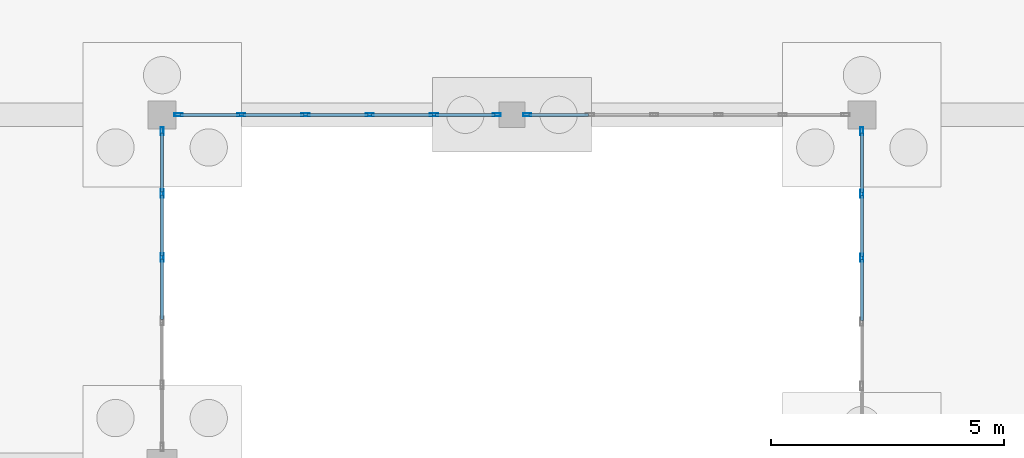
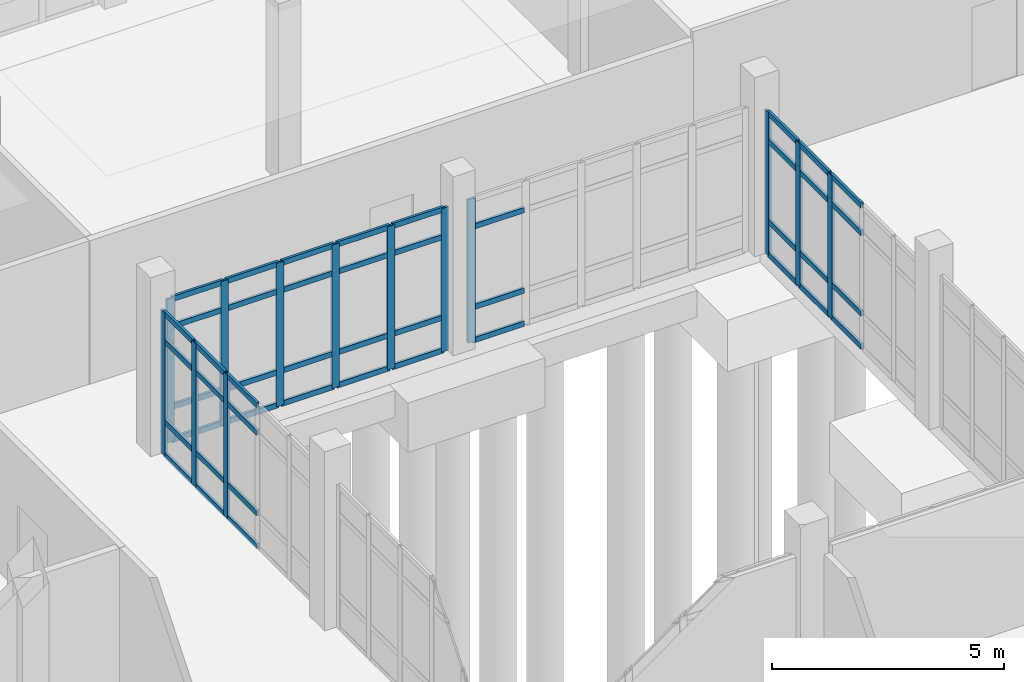
# One storey, part 44 of 173: 60 members, 4 elements without a shape of their own.
"""IFC4 building model written with IfcOpenShell, lengths in metres."""

from ifc_helpers import new_model, si_unit, direction, frame, origin, origin_2d, place, context, subcontext, project, spatial, hollow_rectangle, extrude, material, layer, layer_set, material_profile, profile_set, type_object, element, aggregate, save


model = new_model("IFC4")

# Units and contexts
model_context = context("Model", 3, precision=1e-05, world=origin(), true_north=direction((0.0, 1.0)))
body_context = subcontext(model_context, "Body", "Model", "MODEL_VIEW")
ifc_project = project(units=[si_unit("LENGTHUNIT", "METRE"), si_unit("AREAUNIT", "SQUARE_METRE"), si_unit("VOLUMEUNIT", "CUBIC_METRE"), si_unit("PLANEANGLEUNIT", "RADIAN"), si_unit("MASSUNIT", "GRAM", prefix="KILO")], contexts=[model_context])

# Site, building, storey
site_placement = place(None, origin())
site = spatial("IfcSite", under=ifc_project, at=site_placement, CompositionType="ELEMENT")
building_placement = place(site_placement, origin())
building = spatial("IfcBuilding", under=site, at=building_placement, Name="Mawjan Specialist Oncology Clinic", CompositionType="ELEMENT")
storey_placement = place(building_placement, origin())
storey = spatial("IfcBuildingStorey", under=building, at=storey_placement, Name="L00", CompositionType="ELEMENT", Elevation=0.0)

# Curtain wall, members
ifc_material_1 = material(Name="Unitised spectrally selective aluminium curtain wall", Category="aluminium")
ifc_layer_1 = layer(ifc_material_1, 0.179931640625, Name="Unitised spectrally selective aluminium curtain wall", Category="aluminium")
ifc_layer_set_1 = layer_set([ifc_layer_1], Name="Unitised spectrally selective aluminium curtain wall")
curtain_wall_type_1 = type_object("IfcCurtainWallType", Name="CW-05", PredefinedType="NOTDEFINED", material=ifc_layer_set_1)
curtain_wall_1_placement = place(storey_placement, origin())
curtain_wall_1 = element("IfcCurtainWall", 1, at=curtain_wall_1_placement, inside=storey, type_object=curtain_wall_type_1, Name="L00 Unitised Curtain Wall CW-L00-059", PredefinedType="NOTDEFINED")
ifc_material_2 = material(Name="Thermally broken aluminium 6063-T6", Category="aluminium")
ifc_material_profile_1 = material_profile(ifc_material_2, hollow_rectangle(XDim=0.06494140625, YDim=0.179931640625, WallThickness=0.00390625, at=origin_2d()), Name="ALU MULLION 180x65x4", Category="aluminium")
ifc_profile_set_1 = profile_set([ifc_material_profile_1], Name="Thermally broken aluminium 6063-T6")
member_type_1 = type_object("IfcMemberType", Name="CW-M180", PredefinedType="MULLION", material=ifc_profile_set_1)
member_1_placement = place(storey_placement, frame((30.0, 57.736083984375, 0.0), z_axis=(0.0, 0.0, 1.0), x_axis=(-1.0, 0.0, 0.0)))
member_1 = element("IfcMember", 2, at=member_1_placement, type_object=member_type_1, Name="CW-05 mullion 4", PredefinedType="MULLION", context=body_context, shape_type="SweptSolid", body=[
    extrude(hollow_rectangle(XDim=0.06494140625, YDim=0.179931640625, WallThickness=0.00390625, at=origin_2d()), origin(), (0.0, 0.0, 1.0), 3.764892578125),
])
member_2_placement = place(storey_placement, frame((30.0, 59.10791015625, 0.0), z_axis=(0.0, 0.0, 1.0), x_axis=(-1.0, 0.0, 0.0)))
member_2 = element("IfcMember", 3, at=member_2_placement, type_object=member_type_1, Name="CW-05 mullion 5", PredefinedType="MULLION", context=body_context, shape_type="SweptSolid", body=[
    extrude(hollow_rectangle(XDim=0.06494140625, YDim=0.179931640625, WallThickness=0.00390625, at=origin_2d()), origin(), (0.0, 0.0, 1.0), 3.764892578125),
])
member_3_placement = place(storey_placement, frame((30.0, 60.447509765625, 0.0), z_axis=(0.0, 0.0, 1.0), x_axis=(-1.0, 0.0, 0.0)))
member_3 = element("IfcMember", 4, at=member_3_placement, type_object=member_type_1, Name="CW-05 mullion 6", PredefinedType="MULLION", context=body_context, shape_type="SweptSolid", body=[
    extrude(hollow_rectangle(XDim=0.06494140625, YDim=0.179931640625, WallThickness=0.00390625, at=origin_2d()), origin(), (0.0, 0.0, 1.0), 3.764892578125),
])

# Curtain wall, member
ifc_material_3 = material(Name="Unitised spectrally selective aluminium curtain wall", Category="aluminium")
ifc_layer_2 = layer(ifc_material_3, 0.179931640625, Name="Unitised spectrally selective aluminium curtain wall", Category="aluminium")
ifc_layer_set_2 = layer_set([ifc_layer_2], Name="Unitised spectrally selective aluminium curtain wall")
curtain_wall_type_2 = type_object("IfcCurtainWallType", Name="CW-06", PredefinedType="NOTDEFINED", material=ifc_layer_set_2)
curtain_wall_2_placement = place(storey_placement, origin())
curtain_wall_2 = element("IfcCurtainWall", 5, at=curtain_wall_2_placement, inside=storey, type_object=curtain_wall_type_2, Name="L00 Unitised Curtain Wall CW-L00-060", PredefinedType="NOTDEFINED")
member_4_placement = place(storey_placement, frame((22.827392578125, 60.800048828125, 0.0), z_axis=(0.0, 0.0, 1.0), x_axis=(0.0, -1.0, 0.0)))
member_4 = element("IfcMember", 6, at=member_4_placement, type_object=member_type_1, Name="CW-06 mullion 6", PredefinedType="MULLION", context=body_context, shape_type="SweptSolid", body=[
    extrude(hollow_rectangle(XDim=0.06494140625, YDim=0.179931640625, WallThickness=0.00390625, at=origin_2d()), origin(), (0.0, 0.0, 1.0), 3.764892578125),
])

# Curtain wall, members
curtain_wall_3_placement = place(storey_placement, origin())
curtain_wall_3 = element("IfcCurtainWall", 7, at=curtain_wall_3_placement, inside=storey, type_object=curtain_wall_type_2, Name="L00 Unitised Curtain Wall CW-L00-061", PredefinedType="NOTDEFINED")
member_5_placement = place(storey_placement, frame((22.172607421875, 60.800048828125, 0.0), z_axis=(0.0, 0.0, 1.0), x_axis=(0.0, -1.0, 0.0)))
member_5 = element("IfcMember", 8, at=member_5_placement, type_object=member_type_1, Name="CW-06 mullion 1", PredefinedType="MULLION", context=body_context, shape_type="SweptSolid", body=[
    extrude(hollow_rectangle(XDim=0.06494140625, YDim=0.179931640625, WallThickness=0.00390625, at=origin_2d()), origin(), (0.0, 0.0, 1.0), 3.764892578125),
])
member_6_placement = place(storey_placement, frame((20.827880859375, 60.800048828125, 0.0), z_axis=(0.0, 0.0, 1.0), x_axis=(0.0, -1.0, 0.0)))
member_6 = element("IfcMember", 9, at=member_6_placement, type_object=member_type_1, Name="CW-06 mullion 2", PredefinedType="MULLION", context=body_context, shape_type="SweptSolid", body=[
    extrude(hollow_rectangle(XDim=0.06494140625, YDim=0.179931640625, WallThickness=0.00390625, at=origin_2d()), origin(), (0.0, 0.0, 1.0), 3.764892578125),
])
member_7_placement = place(storey_placement, frame((19.450927734375, 60.800048828125, 0.0), z_axis=(0.0, 0.0, 1.0), x_axis=(0.0, -1.0, 0.0)))
member_7 = element("IfcMember", 10, at=member_7_placement, type_object=member_type_1, Name="CW-06 mullion 3", PredefinedType="MULLION", context=body_context, shape_type="SweptSolid", body=[
    extrude(hollow_rectangle(XDim=0.06494140625, YDim=0.179931640625, WallThickness=0.00390625, at=origin_2d()), origin(), (0.0, 0.0, 1.0), 3.764892578125),
])
member_8_placement = place(storey_placement, frame((18.073974609375, 60.800048828125, 0.0), z_axis=(0.0, 0.0, 1.0), x_axis=(0.0, -1.0, 0.0)))
member_8 = element("IfcMember", 11, at=member_8_placement, type_object=member_type_1, Name="CW-06 mullion 4", PredefinedType="MULLION", context=body_context, shape_type="SweptSolid", body=[
    extrude(hollow_rectangle(XDim=0.06494140625, YDim=0.179931640625, WallThickness=0.00390625, at=origin_2d()), origin(), (0.0, 0.0, 1.0), 3.764892578125),
])
member_9_placement = place(storey_placement, frame((16.697021484375, 60.800048828125, 0.0), z_axis=(0.0, 0.0, 1.0), x_axis=(0.0, -1.0, 0.0)))
member_9 = element("IfcMember", 12, at=member_9_placement, type_object=member_type_1, Name="CW-06 mullion 5", PredefinedType="MULLION", context=body_context, shape_type="SweptSolid", body=[
    extrude(hollow_rectangle(XDim=0.06494140625, YDim=0.179931640625, WallThickness=0.00390625, at=origin_2d()), origin(), (0.0, 0.0, 1.0), 3.764892578125),
])
member_10_placement = place(storey_placement, frame((15.3525390625, 60.800048828125, 0.0), z_axis=(0.0, 0.0, 1.0), x_axis=(0.0, -1.0, 0.0)))
member_10 = element("IfcMember", 13, at=member_10_placement, type_object=member_type_1, Name="CW-06 mullion 6", PredefinedType="MULLION", context=body_context, shape_type="SweptSolid", body=[
    extrude(hollow_rectangle(XDim=0.06494140625, YDim=0.179931640625, WallThickness=0.00390625, at=origin_2d()), origin(), (0.0, 0.0, 1.0), 3.764892578125),
])

ifc_material_4 = material(Name="Unitised spectrally selective aluminium curtain wall", Category="aluminium")
ifc_layer_3 = layer(ifc_material_4, 0.179931640625, Name="Unitised spectrally selective aluminium curtain wall", Category="aluminium")
ifc_layer_set_3 = layer_set([ifc_layer_3], Name="Unitised spectrally selective aluminium curtain wall")
curtain_wall_type_3 = type_object("IfcCurtainWallType", Name="CW-04", PredefinedType="NOTDEFINED", material=ifc_layer_set_3)
curtain_wall_4_placement = place(storey_placement, origin())
curtain_wall_4 = element("IfcCurtainWall", 14, at=curtain_wall_4_placement, inside=storey, type_object=curtain_wall_type_3, Name="L00 Unitised Curtain Wall CW-L00-062", PredefinedType="NOTDEFINED")
member_11_placement = place(storey_placement, frame((15.0, 60.447509765625, 0.0), z_axis=(0.0, 0.0, 1.0), x_axis=(1.0, 0.0, 0.0)))
member_11 = element("IfcMember", 15, at=member_11_placement, type_object=member_type_1, Name="CW-04 mullion 1", PredefinedType="MULLION", context=body_context, shape_type="SweptSolid", body=[
    extrude(hollow_rectangle(XDim=0.06494140625, YDim=0.179931640625, WallThickness=0.00390625, at=origin_2d()), origin(), (0.0, 0.0, 1.0), 3.764892578125),
])
member_12_placement = place(storey_placement, frame((15.0, 59.113037109375, 0.0), z_axis=(0.0, 0.0, 1.0), x_axis=(1.0, 0.0, 0.0)))
member_12 = element("IfcMember", 16, at=member_12_placement, type_object=member_type_1, Name="CW-04 mullion 2", PredefinedType="MULLION", context=body_context, shape_type="SweptSolid", body=[
    extrude(hollow_rectangle(XDim=0.06494140625, YDim=0.179931640625, WallThickness=0.00390625, at=origin_2d()), origin(), (0.0, 0.0, 1.0), 3.764892578125),
])
member_13_placement = place(storey_placement, frame((15.0, 57.74609375, 0.0), z_axis=(0.0, 0.0, 1.0), x_axis=(1.0, 0.0, 0.0)))
member_13 = element("IfcMember", 17, at=member_13_placement, type_object=member_type_1, Name="CW-04 mullion 3", PredefinedType="MULLION", context=body_context, shape_type="SweptSolid", body=[
    extrude(hollow_rectangle(XDim=0.06494140625, YDim=0.179931640625, WallThickness=0.00390625, at=origin_2d()), origin(), (0.0, 0.0, 1.0), 3.764892578125),
])

# Member
ifc_material_5 = material(Name="Thermally broken aluminium 6063-T6", Category="aluminium")
ifc_material_profile_2 = material_profile(ifc_material_5, hollow_rectangle(XDim=0.06494140625, YDim=0.139892578125, WallThickness=0.00390625, at=origin_2d()), Name="ALU TRANSOM 140x65x4", Category="aluminium")
ifc_profile_set_2 = profile_set([ifc_material_profile_2], Name="Thermally broken aluminium 6063-T6")
member_type_2 = type_object("IfcMemberType", Name="CW-T140", PredefinedType="USERDEFINED", material=ifc_profile_set_2)
member_14_placement = place(storey_placement, frame((30.0, 56.396484375, 0.032470703125), z_axis=(0.0, 1.0, 0.0), x_axis=(-1.0, 0.0, 0.0)))
member_14 = element("IfcMember", 18, at=member_14_placement, type_object=member_type_2, Name="CW-05 transom 3.1", ObjectType="TRANSOM", PredefinedType="USERDEFINED", context=body_context, shape_type="SweptSolid", body=[
    extrude(hollow_rectangle(XDim=0.06494140625, YDim=0.139892578125, WallThickness=0.00390625, at=origin_2d()), origin(), (0.0, 0.0, 1.0), 1.30712890625),
])

member_15_placement = place(storey_placement, frame((30.0, 56.396484375, 0.89990234375), z_axis=(0.0, 1.0, 0.0), x_axis=(-1.0, 0.0, 0.0)))
member_15 = element("IfcMember", 19, at=member_15_placement, type_object=member_type_2, Name="CW-05 transom 3.2", ObjectType="TRANSOM", PredefinedType="USERDEFINED", context=body_context, shape_type="SweptSolid", body=[
    extrude(hollow_rectangle(XDim=0.06494140625, YDim=0.139892578125, WallThickness=0.00390625, at=origin_2d()), origin(), (0.0, 0.0, 1.0), 1.30712890625),
])

member_16_placement = place(storey_placement, frame((30.0, 56.396484375, 3.014892578125), z_axis=(0.0, 1.0, 0.0), x_axis=(-1.0, 0.0, 0.0)))
member_16 = element("IfcMember", 20, at=member_16_placement, type_object=member_type_2, Name="CW-05 transom 3.3", ObjectType="TRANSOM", PredefinedType="USERDEFINED", context=body_context, shape_type="SweptSolid", body=[
    extrude(hollow_rectangle(XDim=0.06494140625, YDim=0.139892578125, WallThickness=0.00390625, at=origin_2d()), origin(), (0.0, 0.0, 1.0), 1.30712890625),
])

member_17_placement = place(storey_placement, frame((30.0, 56.396484375, 3.732421875), z_axis=(0.0, 1.0, 0.0), x_axis=(-1.0, 0.0, 0.0)))
member_17 = element("IfcMember", 21, at=member_17_placement, type_object=member_type_2, Name="CW-05 transom 3.4", ObjectType="TRANSOM", PredefinedType="USERDEFINED", context=body_context, shape_type="SweptSolid", body=[
    extrude(hollow_rectangle(XDim=0.06494140625, YDim=0.139892578125, WallThickness=0.00390625, at=origin_2d()), origin(), (0.0, 0.0, 1.0), 1.30712890625),
])

member_18_placement = place(storey_placement, frame((30.0, 57.7685546875, 0.032470703125), z_axis=(0.0, 1.0, 0.0), x_axis=(-1.0, 0.0, 0.0)))
member_18 = element("IfcMember", 22, at=member_18_placement, type_object=member_type_2, Name="CW-05 transom 4.1", ObjectType="TRANSOM", PredefinedType="USERDEFINED", context=body_context, shape_type="SweptSolid", body=[
    extrude(hollow_rectangle(XDim=0.06494140625, YDim=0.139892578125, WallThickness=0.00390625, at=origin_2d()), origin(), (0.0, 0.0, 1.0), 1.306884765625),
])

member_19_placement = place(storey_placement, frame((30.0, 57.7685546875, 0.89990234375), z_axis=(0.0, 1.0, 0.0), x_axis=(-1.0, 0.0, 0.0)))
member_19 = element("IfcMember", 23, at=member_19_placement, type_object=member_type_2, Name="CW-05 transom 4.2", ObjectType="TRANSOM", PredefinedType="USERDEFINED", context=body_context, shape_type="SweptSolid", body=[
    extrude(hollow_rectangle(XDim=0.06494140625, YDim=0.139892578125, WallThickness=0.00390625, at=origin_2d()), origin(), (0.0, 0.0, 1.0), 1.306884765625),
])

member_20_placement = place(storey_placement, frame((30.0, 57.7685546875, 3.014892578125), z_axis=(0.0, 1.0, 0.0), x_axis=(-1.0, 0.0, 0.0)))
member_20 = element("IfcMember", 24, at=member_20_placement, type_object=member_type_2, Name="CW-05 transom 4.3", ObjectType="TRANSOM", PredefinedType="USERDEFINED", context=body_context, shape_type="SweptSolid", body=[
    extrude(hollow_rectangle(XDim=0.06494140625, YDim=0.139892578125, WallThickness=0.00390625, at=origin_2d()), origin(), (0.0, 0.0, 1.0), 1.306884765625),
])

member_21_placement = place(storey_placement, frame((30.0, 57.7685546875, 3.732421875), z_axis=(0.0, 1.0, 0.0), x_axis=(-1.0, 0.0, 0.0)))
member_21 = element("IfcMember", 25, at=member_21_placement, type_object=member_type_2, Name="CW-05 transom 4.4", ObjectType="TRANSOM", PredefinedType="USERDEFINED", context=body_context, shape_type="SweptSolid", body=[
    extrude(hollow_rectangle(XDim=0.06494140625, YDim=0.139892578125, WallThickness=0.00390625, at=origin_2d()), origin(), (0.0, 0.0, 1.0), 1.306884765625),
])

member_22_placement = place(storey_placement, frame((30.0, 59.140380859375, 0.032470703125), z_axis=(0.0, 1.0, 0.0), x_axis=(-1.0, 0.0, 0.0)))
member_22 = element("IfcMember", 26, at=member_22_placement, type_object=member_type_2, Name="CW-05 transom 5.1", ObjectType="TRANSOM", PredefinedType="USERDEFINED", context=body_context, shape_type="SweptSolid", body=[
    extrude(hollow_rectangle(XDim=0.06494140625, YDim=0.139892578125, WallThickness=0.00390625, at=origin_2d()), origin(), (0.0, 0.0, 1.0), 1.274658203125),
])

member_23_placement = place(storey_placement, frame((30.0, 59.140380859375, 0.89990234375), z_axis=(0.0, 1.0, 0.0), x_axis=(-1.0, 0.0, 0.0)))
member_23 = element("IfcMember", 27, at=member_23_placement, type_object=member_type_2, Name="CW-05 transom 5.2", ObjectType="TRANSOM", PredefinedType="USERDEFINED", context=body_context, shape_type="SweptSolid", body=[
    extrude(hollow_rectangle(XDim=0.06494140625, YDim=0.139892578125, WallThickness=0.00390625, at=origin_2d()), origin(), (0.0, 0.0, 1.0), 1.274658203125),
])

member_24_placement = place(storey_placement, frame((30.0, 59.140380859375, 3.014892578125), z_axis=(0.0, 1.0, 0.0), x_axis=(-1.0, 0.0, 0.0)))
member_24 = element("IfcMember", 28, at=member_24_placement, type_object=member_type_2, Name="CW-05 transom 5.3", ObjectType="TRANSOM", PredefinedType="USERDEFINED", context=body_context, shape_type="SweptSolid", body=[
    extrude(hollow_rectangle(XDim=0.06494140625, YDim=0.139892578125, WallThickness=0.00390625, at=origin_2d()), origin(), (0.0, 0.0, 1.0), 1.274658203125),
])

member_25_placement = place(storey_placement, frame((30.0, 59.140380859375, 3.732421875), z_axis=(0.0, 1.0, 0.0), x_axis=(-1.0, 0.0, 0.0)))
member_25 = element("IfcMember", 29, at=member_25_placement, type_object=member_type_2, Name="CW-05 transom 5.4", ObjectType="TRANSOM", PredefinedType="USERDEFINED", context=body_context, shape_type="SweptSolid", body=[
    extrude(hollow_rectangle(XDim=0.06494140625, YDim=0.139892578125, WallThickness=0.00390625, at=origin_2d()), origin(), (0.0, 0.0, 1.0), 1.274658203125),
])

aggregate(curtain_wall_1, [member_1, member_2, member_3, member_14, member_15, member_16, member_17, member_18, member_19, member_20, member_21, member_22, member_23, member_24, member_25])

member_26_placement = place(storey_placement, frame((24.139404296875, 60.800048828125, 0.032470703125), z_axis=(-1.0, 0.0, 0.0), x_axis=(0.0, -1.0, 0.0)))
member_26 = element("IfcMember", 30, at=member_26_placement, type_object=member_type_2, Name="CW-06 transom 5.1", ObjectType="TRANSOM", PredefinedType="USERDEFINED", context=body_context, shape_type="SweptSolid", body=[
    extrude(hollow_rectangle(XDim=0.06494140625, YDim=0.139892578125, WallThickness=0.00390625, at=origin_2d()), origin(), (0.0, 0.0, 1.0), 1.279296875),
])

member_27_placement = place(storey_placement, frame((24.139404296875, 60.800048828125, 0.89990234375), z_axis=(-1.0, 0.0, 0.0), x_axis=(0.0, -1.0, 0.0)))
member_27 = element("IfcMember", 31, at=member_27_placement, type_object=member_type_2, Name="CW-06 transom 5.2", ObjectType="TRANSOM", PredefinedType="USERDEFINED", context=body_context, shape_type="SweptSolid", body=[
    extrude(hollow_rectangle(XDim=0.06494140625, YDim=0.139892578125, WallThickness=0.00390625, at=origin_2d()), origin(), (0.0, 0.0, 1.0), 1.279296875),
])

member_28_placement = place(storey_placement, frame((24.139404296875, 60.800048828125, 3.014892578125), z_axis=(-1.0, 0.0, 0.0), x_axis=(0.0, -1.0, 0.0)))
member_28 = element("IfcMember", 32, at=member_28_placement, type_object=member_type_2, Name="CW-06 transom 5.3", ObjectType="TRANSOM", PredefinedType="USERDEFINED", context=body_context, shape_type="SweptSolid", body=[
    extrude(hollow_rectangle(XDim=0.06494140625, YDim=0.139892578125, WallThickness=0.00390625, at=origin_2d()), origin(), (0.0, 0.0, 1.0), 1.279296875),
])

aggregate(curtain_wall_2, [member_4, member_26, member_27, member_28])

member_29_placement = place(storey_placement, frame((22.139892578125, 60.800048828125, 0.032470703125), z_axis=(-1.0, 0.0, 0.0), x_axis=(0.0, -1.0, 0.0)))
member_29 = element("IfcMember", 33, at=member_29_placement, type_object=member_type_2, Name="CW-06 transom 1.1", ObjectType="TRANSOM", PredefinedType="USERDEFINED", context=body_context, shape_type="SweptSolid", body=[
    extrude(hollow_rectangle(XDim=0.06494140625, YDim=0.139892578125, WallThickness=0.00390625, at=origin_2d()), origin(), (0.0, 0.0, 1.0), 1.279296875),
])

member_30_placement = place(storey_placement, frame((22.139892578125, 60.800048828125, 0.89990234375), z_axis=(-1.0, 0.0, 0.0), x_axis=(0.0, -1.0, 0.0)))
member_30 = element("IfcMember", 34, at=member_30_placement, type_object=member_type_2, Name="CW-06 transom 1.2", ObjectType="TRANSOM", PredefinedType="USERDEFINED", context=body_context, shape_type="SweptSolid", body=[
    extrude(hollow_rectangle(XDim=0.06494140625, YDim=0.139892578125, WallThickness=0.00390625, at=origin_2d()), origin(), (0.0, 0.0, 1.0), 1.279296875),
])

member_31_placement = place(storey_placement, frame((22.139892578125, 60.800048828125, 3.014892578125), z_axis=(-1.0, 0.0, 0.0), x_axis=(0.0, -1.0, 0.0)))
member_31 = element("IfcMember", 35, at=member_31_placement, type_object=member_type_2, Name="CW-06 transom 1.3", ObjectType="TRANSOM", PredefinedType="USERDEFINED", context=body_context, shape_type="SweptSolid", body=[
    extrude(hollow_rectangle(XDim=0.06494140625, YDim=0.139892578125, WallThickness=0.00390625, at=origin_2d()), origin(), (0.0, 0.0, 1.0), 1.279296875),
])

member_32_placement = place(storey_placement, frame((22.139892578125, 60.800048828125, 3.732421875), z_axis=(-1.0, 0.0, 0.0), x_axis=(0.0, -1.0, 0.0)))
member_32 = element("IfcMember", 36, at=member_32_placement, type_object=member_type_2, Name="CW-06 transom 1.4", ObjectType="TRANSOM", PredefinedType="USERDEFINED", context=body_context, shape_type="SweptSolid", body=[
    extrude(hollow_rectangle(XDim=0.06494140625, YDim=0.139892578125, WallThickness=0.00390625, at=origin_2d()), origin(), (0.0, 0.0, 1.0), 1.279296875),
])

member_33_placement = place(storey_placement, frame((20.79541015625, 60.800048828125, 0.032470703125), z_axis=(-1.0, 0.0, 0.0), x_axis=(0.0, -1.0, 0.0)))
member_33 = element("IfcMember", 37, at=member_33_placement, type_object=member_type_2, Name="CW-06 transom 2.1", ObjectType="TRANSOM", PredefinedType="USERDEFINED", context=body_context, shape_type="SweptSolid", body=[
    extrude(hollow_rectangle(XDim=0.06494140625, YDim=0.139892578125, WallThickness=0.00390625, at=origin_2d()), origin(), (0.0, 0.0, 1.0), 1.31201171875),
])

member_34_placement = place(storey_placement, frame((20.79541015625, 60.800048828125, 0.89990234375), z_axis=(-1.0, 0.0, 0.0), x_axis=(0.0, -1.0, 0.0)))
member_34 = element("IfcMember", 38, at=member_34_placement, type_object=member_type_2, Name="CW-06 transom 2.2", ObjectType="TRANSOM", PredefinedType="USERDEFINED", context=body_context, shape_type="SweptSolid", body=[
    extrude(hollow_rectangle(XDim=0.06494140625, YDim=0.139892578125, WallThickness=0.00390625, at=origin_2d()), origin(), (0.0, 0.0, 1.0), 1.31201171875),
])

member_35_placement = place(storey_placement, frame((20.79541015625, 60.800048828125, 3.014892578125), z_axis=(-1.0, 0.0, 0.0), x_axis=(0.0, -1.0, 0.0)))
member_35 = element("IfcMember", 39, at=member_35_placement, type_object=member_type_2, Name="CW-06 transom 2.3", ObjectType="TRANSOM", PredefinedType="USERDEFINED", context=body_context, shape_type="SweptSolid", body=[
    extrude(hollow_rectangle(XDim=0.06494140625, YDim=0.139892578125, WallThickness=0.00390625, at=origin_2d()), origin(), (0.0, 0.0, 1.0), 1.31201171875),
])

member_36_placement = place(storey_placement, frame((20.79541015625, 60.800048828125, 3.732421875), z_axis=(-1.0, 0.0, 0.0), x_axis=(0.0, -1.0, 0.0)))
member_36 = element("IfcMember", 40, at=member_36_placement, type_object=member_type_2, Name="CW-06 transom 2.4", ObjectType="TRANSOM", PredefinedType="USERDEFINED", context=body_context, shape_type="SweptSolid", body=[
    extrude(hollow_rectangle(XDim=0.06494140625, YDim=0.139892578125, WallThickness=0.00390625, at=origin_2d()), origin(), (0.0, 0.0, 1.0), 1.31201171875),
])

member_37_placement = place(storey_placement, frame((19.41845703125, 60.800048828125, 0.032470703125), z_axis=(-1.0, 0.0, 0.0), x_axis=(0.0, -1.0, 0.0)))
member_37 = element("IfcMember", 41, at=member_37_placement, type_object=member_type_2, Name="CW-06 transom 3.1", ObjectType="TRANSOM", PredefinedType="USERDEFINED", context=body_context, shape_type="SweptSolid", body=[
    extrude(hollow_rectangle(XDim=0.06494140625, YDim=0.139892578125, WallThickness=0.00390625, at=origin_2d()), origin(), (0.0, 0.0, 1.0), 1.31201171875),
])

member_38_placement = place(storey_placement, frame((19.41845703125, 60.800048828125, 0.89990234375), z_axis=(-1.0, 0.0, 0.0), x_axis=(0.0, -1.0, 0.0)))
member_38 = element("IfcMember", 42, at=member_38_placement, type_object=member_type_2, Name="CW-06 transom 3.2", ObjectType="TRANSOM", PredefinedType="USERDEFINED", context=body_context, shape_type="SweptSolid", body=[
    extrude(hollow_rectangle(XDim=0.06494140625, YDim=0.139892578125, WallThickness=0.00390625, at=origin_2d()), origin(), (0.0, 0.0, 1.0), 1.31201171875),
])

member_39_placement = place(storey_placement, frame((19.41845703125, 60.800048828125, 3.014892578125), z_axis=(-1.0, 0.0, 0.0), x_axis=(0.0, -1.0, 0.0)))
member_39 = element("IfcMember", 43, at=member_39_placement, type_object=member_type_2, Name="CW-06 transom 3.3", ObjectType="TRANSOM", PredefinedType="USERDEFINED", context=body_context, shape_type="SweptSolid", body=[
    extrude(hollow_rectangle(XDim=0.06494140625, YDim=0.139892578125, WallThickness=0.00390625, at=origin_2d()), origin(), (0.0, 0.0, 1.0), 1.31201171875),
])

member_40_placement = place(storey_placement, frame((19.41845703125, 60.800048828125, 3.732421875), z_axis=(-1.0, 0.0, 0.0), x_axis=(0.0, -1.0, 0.0)))
member_40 = element("IfcMember", 44, at=member_40_placement, type_object=member_type_2, Name="CW-06 transom 3.4", ObjectType="TRANSOM", PredefinedType="USERDEFINED", context=body_context, shape_type="SweptSolid", body=[
    extrude(hollow_rectangle(XDim=0.06494140625, YDim=0.139892578125, WallThickness=0.00390625, at=origin_2d()), origin(), (0.0, 0.0, 1.0), 1.31201171875),
])

member_41_placement = place(storey_placement, frame((18.04150390625, 60.800048828125, 0.032470703125), z_axis=(-1.0, 0.0, 0.0), x_axis=(0.0, -1.0, 0.0)))
member_41 = element("IfcMember", 45, at=member_41_placement, type_object=member_type_2, Name="CW-06 transom 4.1", ObjectType="TRANSOM", PredefinedType="USERDEFINED", context=body_context, shape_type="SweptSolid", body=[
    extrude(hollow_rectangle(XDim=0.06494140625, YDim=0.139892578125, WallThickness=0.00390625, at=origin_2d()), origin(), (0.0, 0.0, 1.0), 1.31201171875),
])

member_42_placement = place(storey_placement, frame((18.04150390625, 60.800048828125, 0.89990234375), z_axis=(-1.0, 0.0, 0.0), x_axis=(0.0, -1.0, 0.0)))
member_42 = element("IfcMember", 46, at=member_42_placement, type_object=member_type_2, Name="CW-06 transom 4.2", ObjectType="TRANSOM", PredefinedType="USERDEFINED", context=body_context, shape_type="SweptSolid", body=[
    extrude(hollow_rectangle(XDim=0.06494140625, YDim=0.139892578125, WallThickness=0.00390625, at=origin_2d()), origin(), (0.0, 0.0, 1.0), 1.31201171875),
])

member_43_placement = place(storey_placement, frame((18.04150390625, 60.800048828125, 3.014892578125), z_axis=(-1.0, 0.0, 0.0), x_axis=(0.0, -1.0, 0.0)))
member_43 = element("IfcMember", 47, at=member_43_placement, type_object=member_type_2, Name="CW-06 transom 4.3", ObjectType="TRANSOM", PredefinedType="USERDEFINED", context=body_context, shape_type="SweptSolid", body=[
    extrude(hollow_rectangle(XDim=0.06494140625, YDim=0.139892578125, WallThickness=0.00390625, at=origin_2d()), origin(), (0.0, 0.0, 1.0), 1.31201171875),
])

member_44_placement = place(storey_placement, frame((18.04150390625, 60.800048828125, 3.732421875), z_axis=(-1.0, 0.0, 0.0), x_axis=(0.0, -1.0, 0.0)))
member_44 = element("IfcMember", 48, at=member_44_placement, type_object=member_type_2, Name="CW-06 transom 4.4", ObjectType="TRANSOM", PredefinedType="USERDEFINED", context=body_context, shape_type="SweptSolid", body=[
    extrude(hollow_rectangle(XDim=0.06494140625, YDim=0.139892578125, WallThickness=0.00390625, at=origin_2d()), origin(), (0.0, 0.0, 1.0), 1.31201171875),
])

member_45_placement = place(storey_placement, frame((16.66455078125, 60.800048828125, 0.032470703125), z_axis=(-1.0, 0.0, 0.0), x_axis=(0.0, -1.0, 0.0)))
member_45 = element("IfcMember", 49, at=member_45_placement, type_object=member_type_2, Name="CW-06 transom 5.1", ObjectType="TRANSOM", PredefinedType="USERDEFINED", context=body_context, shape_type="SweptSolid", body=[
    extrude(hollow_rectangle(XDim=0.06494140625, YDim=0.139892578125, WallThickness=0.00390625, at=origin_2d()), origin(), (0.0, 0.0, 1.0), 1.279541015625),
])

member_46_placement = place(storey_placement, frame((16.66455078125, 60.800048828125, 0.89990234375), z_axis=(-1.0, 0.0, 0.0), x_axis=(0.0, -1.0, 0.0)))
member_46 = element("IfcMember", 50, at=member_46_placement, type_object=member_type_2, Name="CW-06 transom 5.2", ObjectType="TRANSOM", PredefinedType="USERDEFINED", context=body_context, shape_type="SweptSolid", body=[
    extrude(hollow_rectangle(XDim=0.06494140625, YDim=0.139892578125, WallThickness=0.00390625, at=origin_2d()), origin(), (0.0, 0.0, 1.0), 1.279541015625),
])

member_47_placement = place(storey_placement, frame((16.66455078125, 60.800048828125, 3.014892578125), z_axis=(-1.0, 0.0, 0.0), x_axis=(0.0, -1.0, 0.0)))
member_47 = element("IfcMember", 51, at=member_47_placement, type_object=member_type_2, Name="CW-06 transom 5.3", ObjectType="TRANSOM", PredefinedType="USERDEFINED", context=body_context, shape_type="SweptSolid", body=[
    extrude(hollow_rectangle(XDim=0.06494140625, YDim=0.139892578125, WallThickness=0.00390625, at=origin_2d()), origin(), (0.0, 0.0, 1.0), 1.279541015625),
])

member_48_placement = place(storey_placement, frame((16.66455078125, 60.800048828125, 3.732421875), z_axis=(-1.0, 0.0, 0.0), x_axis=(0.0, -1.0, 0.0)))
member_48 = element("IfcMember", 52, at=member_48_placement, type_object=member_type_2, Name="CW-06 transom 5.4", ObjectType="TRANSOM", PredefinedType="USERDEFINED", context=body_context, shape_type="SweptSolid", body=[
    extrude(hollow_rectangle(XDim=0.06494140625, YDim=0.139892578125, WallThickness=0.00390625, at=origin_2d()), origin(), (0.0, 0.0, 1.0), 1.279541015625),
])

aggregate(curtain_wall_3, [member_5, member_6, member_7, member_8, member_9, member_10, member_29, member_30, member_31, member_32, member_33, member_34, member_35, member_36, member_37, member_38, member_39, member_40, member_41, member_42, member_43, member_44, member_45, member_46, member_47, member_48])

member_49_placement = place(storey_placement, frame((15.0, 60.4150390625, 0.032470703125), z_axis=(0.0, -1.0, 0.0), x_axis=(1.0, 0.0, 0.0)))
member_49 = element("IfcMember", 53, at=member_49_placement, type_object=member_type_2, Name="CW-04 transom 1.1", ObjectType="TRANSOM", PredefinedType="USERDEFINED", context=body_context, shape_type="SweptSolid", body=[
    extrude(hollow_rectangle(XDim=0.06494140625, YDim=0.139892578125, WallThickness=0.00390625, at=origin_2d()), origin(), (0.0, 0.0, 1.0), 1.26953125),
])

member_50_placement = place(storey_placement, frame((15.0, 60.4150390625, 0.89990234375), z_axis=(0.0, -1.0, 0.0), x_axis=(1.0, 0.0, 0.0)))
member_50 = element("IfcMember", 54, at=member_50_placement, type_object=member_type_2, Name="CW-04 transom 1.2", ObjectType="TRANSOM", PredefinedType="USERDEFINED", context=body_context, shape_type="SweptSolid", body=[
    extrude(hollow_rectangle(XDim=0.06494140625, YDim=0.139892578125, WallThickness=0.00390625, at=origin_2d()), origin(), (0.0, 0.0, 1.0), 1.26953125),
])

member_51_placement = place(storey_placement, frame((15.0, 60.4150390625, 3.014892578125), z_axis=(0.0, -1.0, 0.0), x_axis=(1.0, 0.0, 0.0)))
member_51 = element("IfcMember", 55, at=member_51_placement, type_object=member_type_2, Name="CW-04 transom 1.3", ObjectType="TRANSOM", PredefinedType="USERDEFINED", context=body_context, shape_type="SweptSolid", body=[
    extrude(hollow_rectangle(XDim=0.06494140625, YDim=0.139892578125, WallThickness=0.00390625, at=origin_2d()), origin(), (0.0, 0.0, 1.0), 1.26953125),
])

member_52_placement = place(storey_placement, frame((15.0, 60.4150390625, 3.732421875), z_axis=(0.0, -1.0, 0.0), x_axis=(1.0, 0.0, 0.0)))
member_52 = element("IfcMember", 56, at=member_52_placement, type_object=member_type_2, Name="CW-04 transom 1.4", ObjectType="TRANSOM", PredefinedType="USERDEFINED", context=body_context, shape_type="SweptSolid", body=[
    extrude(hollow_rectangle(XDim=0.06494140625, YDim=0.139892578125, WallThickness=0.00390625, at=origin_2d()), origin(), (0.0, 0.0, 1.0), 1.26953125),
])

member_53_placement = place(storey_placement, frame((15.0, 59.08056640625, 0.032470703125), z_axis=(0.0, -1.0, 0.0), x_axis=(1.0, 0.0, 0.0)))
member_53 = element("IfcMember", 57, at=member_53_placement, type_object=member_type_2, Name="CW-04 transom 2.1", ObjectType="TRANSOM", PredefinedType="USERDEFINED", context=body_context, shape_type="SweptSolid", body=[
    extrude(hollow_rectangle(XDim=0.06494140625, YDim=0.139892578125, WallThickness=0.00390625, at=origin_2d()), origin(), (0.0, 0.0, 1.0), 1.302001953125),
])

member_54_placement = place(storey_placement, frame((15.0, 59.08056640625, 0.89990234375), z_axis=(0.0, -1.0, 0.0), x_axis=(1.0, 0.0, 0.0)))
member_54 = element("IfcMember", 58, at=member_54_placement, type_object=member_type_2, Name="CW-04 transom 2.2", ObjectType="TRANSOM", PredefinedType="USERDEFINED", context=body_context, shape_type="SweptSolid", body=[
    extrude(hollow_rectangle(XDim=0.06494140625, YDim=0.139892578125, WallThickness=0.00390625, at=origin_2d()), origin(), (0.0, 0.0, 1.0), 1.302001953125),
])

member_55_placement = place(storey_placement, frame((15.0, 59.08056640625, 3.014892578125), z_axis=(0.0, -1.0, 0.0), x_axis=(1.0, 0.0, 0.0)))
member_55 = element("IfcMember", 59, at=member_55_placement, type_object=member_type_2, Name="CW-04 transom 2.3", ObjectType="TRANSOM", PredefinedType="USERDEFINED", context=body_context, shape_type="SweptSolid", body=[
    extrude(hollow_rectangle(XDim=0.06494140625, YDim=0.139892578125, WallThickness=0.00390625, at=origin_2d()), origin(), (0.0, 0.0, 1.0), 1.302001953125),
])

member_56_placement = place(storey_placement, frame((15.0, 59.08056640625, 3.732421875), z_axis=(0.0, -1.0, 0.0), x_axis=(1.0, 0.0, 0.0)))
member_56 = element("IfcMember", 60, at=member_56_placement, type_object=member_type_2, Name="CW-04 transom 2.4", ObjectType="TRANSOM", PredefinedType="USERDEFINED", context=body_context, shape_type="SweptSolid", body=[
    extrude(hollow_rectangle(XDim=0.06494140625, YDim=0.139892578125, WallThickness=0.00390625, at=origin_2d()), origin(), (0.0, 0.0, 1.0), 1.302001953125),
])

member_57_placement = place(storey_placement, frame((15.0, 57.71337890625, 0.032470703125), z_axis=(0.0, -1.0, 0.0), x_axis=(1.0, 0.0, 0.0)))
member_57 = element("IfcMember", 61, at=member_57_placement, type_object=member_type_2, Name="CW-04 transom 3.1", ObjectType="TRANSOM", PredefinedType="USERDEFINED", context=body_context, shape_type="SweptSolid", body=[
    extrude(hollow_rectangle(XDim=0.06494140625, YDim=0.139892578125, WallThickness=0.00390625, at=origin_2d()), origin(), (0.0, 0.0, 1.0), 1.3017578125),
])

member_58_placement = place(storey_placement, frame((15.0, 57.71337890625, 0.89990234375), z_axis=(0.0, -1.0, 0.0), x_axis=(1.0, 0.0, 0.0)))
member_58 = element("IfcMember", 62, at=member_58_placement, type_object=member_type_2, Name="CW-04 transom 3.2", ObjectType="TRANSOM", PredefinedType="USERDEFINED", context=body_context, shape_type="SweptSolid", body=[
    extrude(hollow_rectangle(XDim=0.06494140625, YDim=0.139892578125, WallThickness=0.00390625, at=origin_2d()), origin(), (0.0, 0.0, 1.0), 1.3017578125),
])

member_59_placement = place(storey_placement, frame((15.0, 57.71337890625, 3.014892578125), z_axis=(0.0, -1.0, 0.0), x_axis=(1.0, 0.0, 0.0)))
member_59 = element("IfcMember", 63, at=member_59_placement, type_object=member_type_2, Name="CW-04 transom 3.3", ObjectType="TRANSOM", PredefinedType="USERDEFINED", context=body_context, shape_type="SweptSolid", body=[
    extrude(hollow_rectangle(XDim=0.06494140625, YDim=0.139892578125, WallThickness=0.00390625, at=origin_2d()), origin(), (0.0, 0.0, 1.0), 1.3017578125),
])

member_60_placement = place(storey_placement, frame((15.0, 57.71337890625, 3.732421875), z_axis=(0.0, -1.0, 0.0), x_axis=(1.0, 0.0, 0.0)))
member_60 = element("IfcMember", 64, at=member_60_placement, type_object=member_type_2, Name="CW-04 transom 3.4", ObjectType="TRANSOM", PredefinedType="USERDEFINED", context=body_context, shape_type="SweptSolid", body=[
    extrude(hollow_rectangle(XDim=0.06494140625, YDim=0.139892578125, WallThickness=0.00390625, at=origin_2d()), origin(), (0.0, 0.0, 1.0), 1.3017578125),
])

aggregate(curtain_wall_4, [member_11, member_12, member_13, member_49, member_50, member_51, member_52, member_53, member_54, member_55, member_56, member_57, member_58, member_59, member_60])

save(model, "model.ifc")
